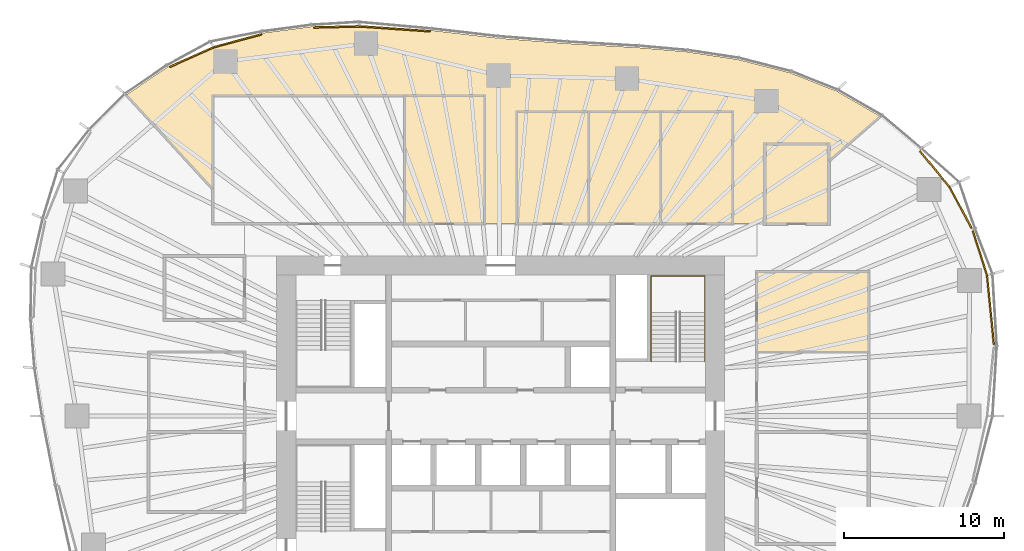
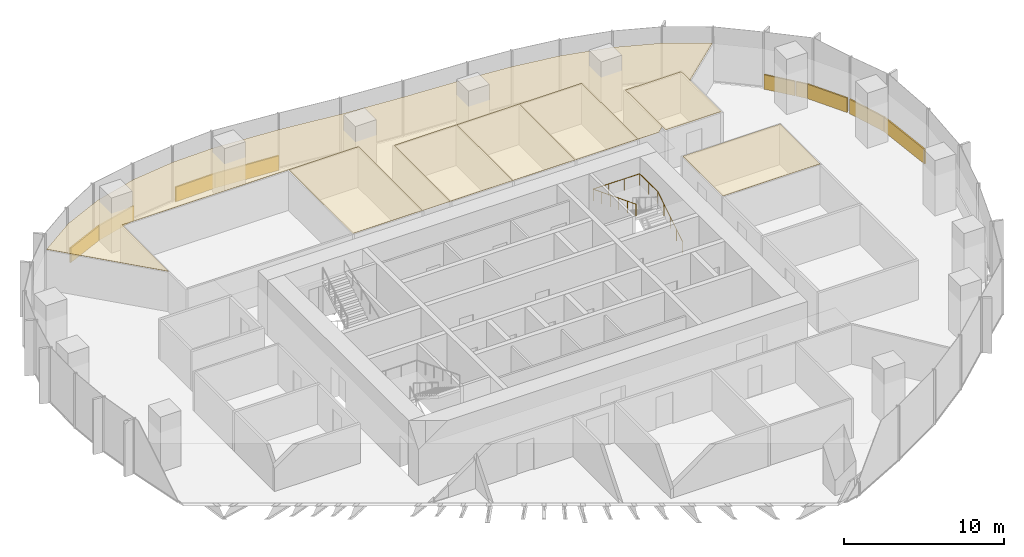
# One storey, part 18 of 18: 16 coverings, 1 railing.
"""IFC4 building model written with IfcOpenShell, lengths in metres."""

from ifc_helpers import new_model, si_unit, direction, frame, origin, origin_2d, place, context, subcontext, project, spatial, polyline, rectangle, circle, outline, extrude, material, layer, layer_set, type_object, element, save


model = new_model("IFC4")

# Units and contexts
model_context = context("Model", 3, precision=1e-05, world=origin(), true_north=direction((0.0, 1.0)))
body_context = subcontext(model_context, "Body", "Model", "MODEL_VIEW")
ifc_project = project(units=[si_unit("LENGTHUNIT", "METRE"), si_unit("AREAUNIT", "SQUARE_METRE"), si_unit("VOLUMEUNIT", "CUBIC_METRE"), si_unit("PLANEANGLEUNIT", "RADIAN"), si_unit("MASSUNIT", "GRAM", prefix="KILO")], contexts=[model_context])

# Site, building, storey
site_placement = place(None, origin())
site = spatial("IfcSite", under=ifc_project, at=site_placement, CompositionType="ELEMENT")
building_placement = place(site_placement, origin())
building = spatial("IfcBuilding", under=site, at=building_placement, Name="Ghaith Harvest Tower", CompositionType="ELEMENT")
storey_placement = place(building_placement, frame((0.0, 0.0, 117.60009765625)))
storey = spatial("IfcBuildingStorey", under=building, at=storey_placement, Name="L24", CompositionType="ELEMENT", Elevation=117.60009765625)

# Coverings
ifc_material_1 = material(Name="Mineral fibre ceiling tile", Category="gypsum")
ifc_layer_1 = layer(ifc_material_1, 0.02001953125)
ifc_layer_set_1 = layer_set([ifc_layer_1], Name="CEILING C1")
covering_type_1 = type_object("IfcCoveringType", Name="CEILING C1", PredefinedType="CEILING", material=ifc_layer_set_1)
covering_1_placement = place(storey_placement, frame((0.0, 0.0, 3.0)))
element("IfcCovering", 1, at=covering_1_placement, inside=storey, type_object=covering_type_1, Name="Ceiling L24-02", PredefinedType="CEILING", context=body_context, shape_type="SweptSolid", body=[
    extrude(outline(polyline([(-6.0, 12.0), (-1.0, 12.0), (-1.0, 20.0), (-6.0, 20.0), (-6.0, 12.0)])), origin(), (0.0, 0.0, 1.0), 0.02001953125),
])
covering_2_placement = place(storey_placement, frame((0.0, 0.0, 3.0)))
element("IfcCovering", 2, at=covering_2_placement, inside=storey, type_object=covering_type_1, Name="Ceiling L24-03", PredefinedType="CEILING", context=body_context, shape_type="SweptSolid", body=[
    extrude(outline(polyline([(1.0, 12.0), (5.5, 12.0), (5.5, 19.0), (1.0, 19.0), (1.0, 12.0)])), origin(), (0.0, 0.0, 1.0), 0.02001953125),
])
covering_3_placement = place(storey_placement, frame((0.0, 0.0, 3.0)))
element("IfcCovering", 3, at=covering_3_placement, inside=storey, type_object=covering_type_1, Name="Ceiling L24-04", PredefinedType="CEILING", context=body_context, shape_type="SweptSolid", body=[
    extrude(outline(polyline([(5.5, 12.0), (10.0, 12.0), (10.0, 19.0), (5.5, 19.0), (5.5, 12.0)])), origin(), (0.0, 0.0, 1.0), 0.02001953125),
])
covering_4_placement = place(storey_placement, frame((0.0, 0.0, 3.0)))
element("IfcCovering", 4, at=covering_4_placement, inside=storey, type_object=covering_type_1, Name="Ceiling L24-05", PredefinedType="CEILING", context=body_context, shape_type="SweptSolid", body=[
    extrude(outline(polyline([(10.0, 12.0), (14.5, 12.0), (14.5, 19.0), (10.0, 19.0), (10.0, 12.0)])), origin(), (0.0, 0.0, 1.0), 0.02001953125),
])
covering_5_placement = place(storey_placement, frame((0.0, 0.0, 3.0)))
element("IfcCovering", 5, at=covering_5_placement, inside=storey, type_object=covering_type_1, Name="Ceiling L24-12", PredefinedType="CEILING", context=body_context, shape_type="SweptSolid", body=[
    extrude(outline(polyline([(16.0, 4.0), (23.0, 4.0), (23.0, 9.0), (16.0, 9.0), (16.0, 4.0)])), origin(), (0.0, 0.0, 1.0), 0.02001953125),
])
covering_6_placement = place(storey_placement, frame((0.0, 0.0, 3.0)))
element("IfcCovering", 6, at=covering_6_placement, inside=storey, type_object=covering_type_1, Name="Ceiling L24-15", PredefinedType="CEILING", context=body_context, shape_type="SweptSolid", body=[
    extrude(outline(polyline([(16.5, 12.0), (20.5, 12.0), (20.5, 17.0), (16.5, 17.0), (16.5, 12.0)])), origin(), (0.0, 0.0, 1.0), 0.02001953125),
])
covering_7_placement = place(storey_placement, frame((0.0, 0.0, 3.0)))
element("IfcCovering", 7, at=covering_7_placement, inside=storey, type_object=covering_type_1, Name="Ceiling L24-N1", PredefinedType="CEILING", context=body_context, shape_type="SweptSolid", body=[
    extrude(outline(polyline([(-20.79248046875, 21.82470703125), (-17.938232421875, 23.097412109375), (-14.860595703125, 23.927978515625), (-11.788818359375, 24.331787109375), (-8.814208984375, 24.404541015625), (-4.302001953125, 24.089111328125), (-0.16162109375, 23.609619140625), (4.125732421875, 23.272705078125), (8.604736328125, 23.017333984375), (11.617919921875, 22.757080078125), (14.79833984375, 22.27978515625), (18.0849609375, 21.4462890625), (20.97998046875, 20.3056640625), (23.7275390625, 18.718017578125), (20.5, 15.912109375), (20.5, 17.0), (16.5, 17.0), (16.5, 12.434814453125), (16.0, 12.0), (14.5, 12.0), (14.5, 19.0), (1.0, 19.0), (1.0, 12.0), (-1.0, 12.0), (-1.0, 20.0), (-18.0, 20.0), (-18.0, 14.17919921875), (-23.398193359375, 20.06103515625), (-20.79248046875, 21.82470703125)])), origin(), (0.0, 0.0, 1.0), 0.02001953125),
])

# Railing
ifc_material_2 = material(Name="Steel, black powder-coated", Category="steel")
railing_type = type_object("IfcRailingType", Name="HANDRAIL HR1", PredefinedType="HANDRAIL", material=ifc_material_2)
railing_placement = place(storey_placement, frame((12.75, 3.39990234375, 0.1748046875)))
element("IfcRailing", 8, at=railing_placement, inside=storey, type_object=railing_type, Name="Handrail HR1 stair ST2 L24 wall side", PredefinedType="HANDRAIL", context=body_context, shape_type="SweptSolid", body=[
    extrude(circle(Radius=0.02392578125, at=origin_2d()), frame((0.0, 0.0, 0.8759765625), z_axis=(0.0, 0.847998304005, 0.529998940003), x_axis=(-1.0, 0.0, 0.0)), (0.0, 0.0, 1.0), 3.632080078125),
    extrude(circle(Radius=0.02392578125, at=origin_2d()), frame((0.0, 3.080078125, 2.80078125), z_axis=(0.0, 1.0, 0.0), x_axis=(-1.0, 0.0, 0.0)), (0.0, 0.0, 1.0), 2.27001953125),
    extrude(circle(Radius=0.02392578125, at=origin_2d()), frame((0.0, 5.35009765625, 2.80078125), z_axis=(-1.0, 0.0, 0.0), x_axis=(0.0, -1.0, 0.0)), (0.0, 0.0, 1.0), 3.35009765625),
    extrude(circle(Radius=0.02392578125, at=origin_2d()), frame((-3.35009765625, 5.35009765625, 2.80078125), z_axis=(0.0, -0.930853684876, 0.365392141887), x_axis=(1.0, 0.0, 0.0)), (0.0, 0.0, 1.0), 5.74755859375),
    extrude(circle(Radius=0.02099609375, at=origin_2d()), origin(), (0.0, 0.0, 1.0), 0.851806640625),
    extrude(circle(Radius=0.02099609375, at=origin_2d()), frame((0.0, 0.77001953125, 0.481201171875)), (0.0, 0.0, 1.0), 0.851806640625),
    extrude(circle(Radius=0.02099609375, at=origin_2d()), frame((0.0, 1.5400390625, 0.96240234375)), (0.0, 0.0, 1.0), 0.851806640625),
    extrude(circle(Radius=0.02099609375, at=origin_2d()), frame((0.0, 2.31005859375, 1.44384765625)), (0.0, 0.0, 1.0), 0.851806640625),
    extrude(circle(Radius=0.02099609375, at=origin_2d()), frame((0.0, 3.080078125, 1.925048828125)), (0.0, 0.0, 1.0), 0.851806640625),
    extrude(circle(Radius=0.02099609375, at=origin_2d()), frame((0.0, 4.215087890625, 1.925048828125)), (0.0, 0.0, 1.0), 0.851806640625),
    extrude(circle(Radius=0.02099609375, at=origin_2d()), frame((0.0, 5.35009765625, 1.925048828125)), (0.0, 0.0, 1.0), 0.851806640625),
    extrude(circle(Radius=0.02099609375, at=origin_2d()), frame((-1.11669921875, 5.35009765625, 1.925048828125)), (0.0, 0.0, 1.0), 0.851806640625),
    extrude(circle(Radius=0.02099609375, at=origin_2d()), frame((-2.2333984375, 5.35009765625, 1.925048828125)), (0.0, 0.0, 1.0), 0.851806640625),
    extrude(circle(Radius=0.02099609375, at=origin_2d()), frame((-3.35009765625, 5.35009765625, 1.925048828125)), (0.0, 0.0, 1.0), 0.851806640625),
    extrude(circle(Radius=0.02099609375, at=origin_2d()), frame((-3.35009765625, 4.280029296875, 2.344970703125)), (0.0, 0.0, 1.0), 0.851806640625),
    extrude(circle(Radius=0.02099609375, at=origin_2d()), frame((-3.35009765625, 3.2099609375, 2.76513671875)), (0.0, 0.0, 1.0), 0.851806640625),
    extrude(circle(Radius=0.02099609375, at=origin_2d()), frame((-3.35009765625, 2.14013671875, 3.18505859375)), (0.0, 0.0, 1.0), 0.851806640625),
    extrude(circle(Radius=0.02099609375, at=origin_2d()), frame((-3.35009765625, 1.070068359375, 3.605224609375)), (0.0, 0.0, 1.0), 0.851806640625),
    extrude(circle(Radius=0.02099609375, at=origin_2d()), frame((-3.35009765625, 0.0, 4.025146484375)), (0.0, 0.0, 1.0), 0.851806640625),
])

# Coverings
ifc_material_3 = material(Name="Insulated aluminium spandrel panel on steel framing", Category="steel")
ifc_layer_2 = layer(ifc_material_3, 0.10009765625)
ifc_layer_set_2 = layer_set([ifc_layer_2], Name="SLAB EDGE UPSTAND 1100x100")
covering_type_2 = type_object("IfcCoveringType", Name="SLAB EDGE UPSTAND 1100x100", PredefinedType="CLADDING", material=ifc_layer_set_2)
covering_8_placement = place(storey_placement, frame((30.604736328125, 6.630126953125, -0.000244140625), z_axis=(0.0, 0.0, 1.0), x_axis=(-0.099131765681, 0.995074315332, 0.0)))
element("IfcCovering", 9, at=covering_8_placement, inside=storey, type_object=covering_type_2, Name="Slab edge upstand 2 bay 01 L24", PredefinedType="CLADDING", context=body_context, shape_type="SweptSolid", body=[
    extrude(rectangle(XDim=4.346435546875, YDim=0.10009765625, at=origin_2d()), origin(), (0.0, 0.0, 1.0), 1.10009765625),
])
covering_9_placement = place(storey_placement, frame((29.948486328125, 10.171875, -0.000244140625), z_axis=(0.0, 0.0, 1.0), x_axis=(-0.303716894855, 0.952762324916, 0.0)))
element("IfcCovering", 10, at=covering_9_placement, inside=storey, type_object=covering_type_2, Name="Slab edge upstand 1 bay 02 L24", PredefinedType="CLADDING", context=body_context, shape_type="SweptSolid", body=[
    extrude(rectangle(XDim=2.916748046875, YDim=0.10009765625, at=origin_2d()), origin(), (0.0, 0.0, 1.0), 1.10009765625),
])
covering_10_placement = place(storey_placement, frame((28.738037109375, 13.018798828125, -0.000244140625), z_axis=(0.0, 0.0, 1.0), x_axis=(-0.475408661811, 0.87976508471, 0.0)))
element("IfcCovering", 11, at=covering_10_placement, inside=storey, type_object=covering_type_2, Name="Slab edge upstand 2 bay 02 L24", PredefinedType="CLADDING", context=body_context, shape_type="SweptSolid", body=[
    extrude(rectangle(XDim=2.91650390625, YDim=0.10009765625, at=origin_2d()), origin(), (0.0, 0.0, 1.0), 1.10009765625),
])
covering_11_placement = place(storey_placement, frame((27.806396484375, 14.592041015625, -0.000244140625), z_axis=(0.0, 0.0, 1.0), x_axis=(-0.632969558548, 0.774176683937, 0.0)))
element("IfcCovering", 12, at=covering_11_placement, inside=storey, type_object=covering_type_2, Name="Slab edge upstand 3 bay 02 L24", PredefinedType="CLADDING", context=body_context, shape_type="SweptSolid", body=[
    extrude(rectangle(XDim=0.77001953125, YDim=0.10009765625, at=origin_2d()), origin(), (0.0, 0.0, 1.0), 1.10009765625),
])
covering_12_placement = place(storey_placement, frame((26.863525390625, 15.7451171875, -0.000244140625), z_axis=(0.0, 0.0, 1.0), x_axis=(-0.632969558548, 0.774176683937, 0.0)))
element("IfcCovering", 13, at=covering_12_placement, inside=storey, type_object=covering_type_2, Name="Slab edge upstand 3 bay 02 L24", PredefinedType="CLADDING", context=body_context, shape_type="SweptSolid", body=[
    extrude(rectangle(XDim=2.083740234375, YDim=0.10009765625, at=origin_2d()), origin(), (0.0, 0.0, 1.0), 1.10009765625),
])
covering_13_placement = place(storey_placement, frame((-6.611572265625, 24.200439453125, -0.000244140625), z_axis=(0.0, 0.0, 1.0), x_axis=(-0.997566199698, 0.069725728542, 0.0)))
element("IfcCovering", 14, at=covering_13_placement, inside=storey, type_object=covering_type_2, Name="Slab edge upstand 2 bay 06 L24", PredefinedType="CLADDING", context=body_context, shape_type="SweptSolid", body=[
    extrude(rectangle(XDim=4.42333984375, YDim=0.10009765625, at=origin_2d()), origin(), (0.0, 0.0, 1.0), 1.10009765625),
])
covering_14_placement = place(storey_placement, frame((-10.25048828125, 24.3193359375, -0.000244140625), z_axis=(0.0, 0.0, 1.0), x_axis=(-0.999700846757, -0.024458474865, 0.0)))
element("IfcCovering", 15, at=covering_14_placement, inside=storey, type_object=covering_type_2, Name="Slab edge upstand 1 bay 07 L24", PredefinedType="CLADDING", context=body_context, shape_type="SweptSolid", body=[
    extrude(rectangle(XDim=2.87548828125, YDim=0.10009765625, at=origin_2d()), origin(), (0.0, 0.0, 1.0), 1.10009765625),
])
covering_15_placement = place(storey_placement, frame((-16.4345703125, 23.451416015625, -0.000244140625), z_axis=(0.0, 0.0, 1.0), x_axis=(-0.965455035926, -0.260569709685, 0.0)))
element("IfcCovering", 16, at=covering_15_placement, inside=storey, type_object=covering_type_2, Name="Slab edge upstand 3 bay 07 L24", PredefinedType="CLADDING", context=body_context, shape_type="SweptSolid", body=[
    extrude(rectangle(XDim=3.087890625, YDim=0.10009765625, at=origin_2d()), origin(), (0.0, 0.0, 1.0), 1.10009765625),
])
covering_16_placement = place(storey_placement, frame((-19.29931640625, 22.435791015625, -0.000244140625), z_axis=(0.0, 0.0, 1.0), x_axis=(-0.913334621001, -0.40720986, 0.0)))
element("IfcCovering", 17, at=covering_16_placement, inside=storey, type_object=covering_type_2, Name="Slab edge upstand 1 bay 08 L24", PredefinedType="CLADDING", context=body_context, shape_type="SweptSolid", body=[
    extrude(rectangle(XDim=3.025146484375, YDim=0.10009765625, at=origin_2d()), origin(), (0.0, 0.0, 1.0), 1.10009765625),
])

save(model, "model.ifc")
